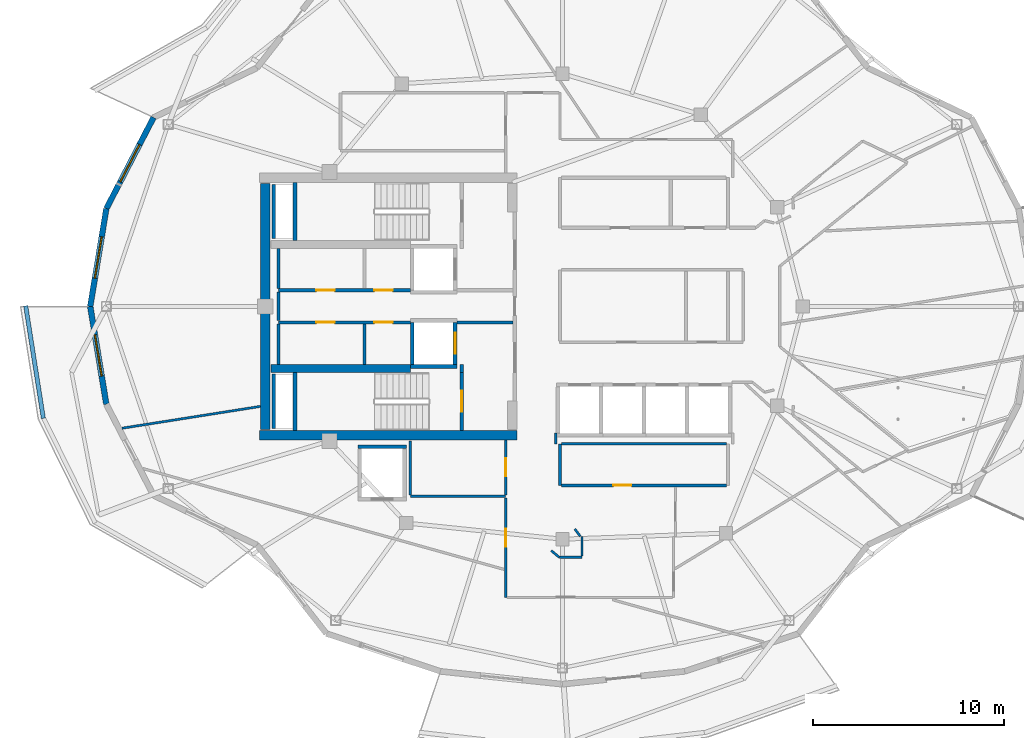
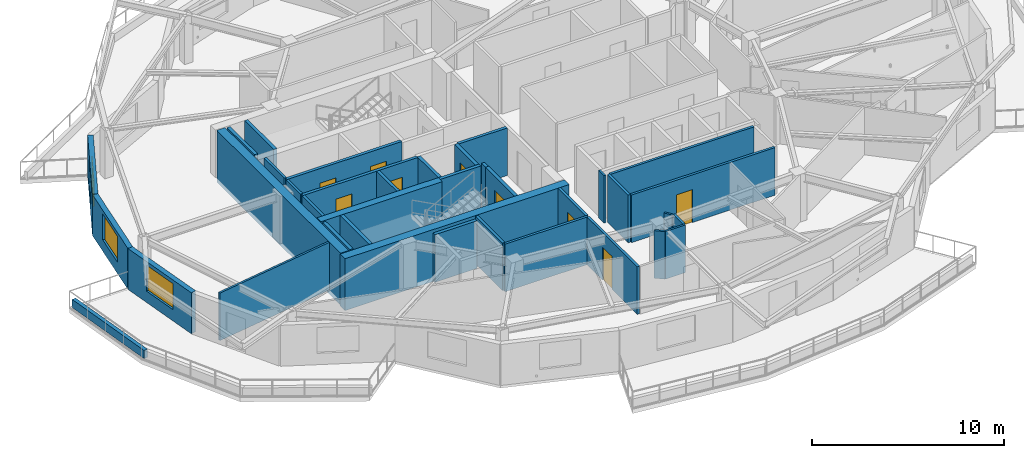
# One storey, part 3 of 14: 37 walls, 9 doors, 3 windows, 12 openings.
"""IFC4 building model written with IfcOpenShell, lengths in metres."""

from ifc_helpers import new_model, si_unit, direction, frame, frame_2d, origin, place, context, subcontext, project, spatial, rectangle, extrude, material, layer, layer_set, type_object, element, fill, save


model = new_model("IFC4")

# Units and contexts
model_context = context("Model", 3, precision=1e-05, world=origin(), true_north=direction((0.0, 1.0)))
body_context = subcontext(model_context, "Body", "Model", "MODEL_VIEW")
ifc_project = project(units=[si_unit("LENGTHUNIT", "METRE"), si_unit("AREAUNIT", "SQUARE_METRE"), si_unit("VOLUMEUNIT", "CUBIC_METRE"), si_unit("PLANEANGLEUNIT", "RADIAN"), si_unit("MASSUNIT", "GRAM", prefix="KILO")], contexts=[model_context])

# Site, building, storey
site_placement = place(None, origin())
site = spatial("IfcSite", under=ifc_project, at=site_placement, CompositionType="ELEMENT")
building_placement = place(site_placement, origin())
building = spatial("IfcBuilding", under=site, at=building_placement, Name="Kolvaren Gate Tower and Convention Centre", CompositionType="ELEMENT")
storey_placement = place(building_placement, frame((0.0, 0.0, 222.800048828125)))
storey = spatial("IfcBuildingStorey", under=building, at=storey_placement, Name="L59", CompositionType="ELEMENT", Elevation=222.800048828125)

# Wall
ifc_material_1 = material(Name="Autoclaved Aerated Masonry Blockwork Class 4 (4.0 MPa)", Category="masonry")
ifc_layer_1 = layer(ifc_material_1, 0.179931640625)
ifc_layer_set_1 = layer_set([ifc_layer_1], Name="Autoclaved Aerated Masonry Blockwork Class 4 (4.0 MPa)")
wall_type_1 = type_object("IfcWallType", Name="ARCH-WL-COMP-180", PredefinedType="SOLIDWALL", material=ifc_layer_set_1)
wall_1_placement = place(storey_placement, frame((24.85009765625, 23.5400390625, 0.0), z_axis=(0.0, 0.0, 1.0), x_axis=(0.0, 1.0, 0.0)))
element("IfcWall", 1, at=wall_1_placement, inside=storey, type_object=wall_type_1, Name="Interior Partition WL-L59-INT-001", PredefinedType="SOLIDWALL", context=body_context, shape_type="SweptSolid", body=[
    extrude(rectangle(XDim=0.419921875, YDim=0.179931640625, at=frame_2d((0.2099609375, 0.0))), origin(), (0.0, 0.0, 1.0), 3.030029296875),
])

# Wall, openings, doors
wall_2_placement = place(storey_placement, frame((15.25, 27.840087890625, 0.0), z_axis=(0.0, 0.0, 1.0), x_axis=(1.0, 0.0, 0.0)))
wall_2 = element("IfcWall", 2, at=wall_2_placement, inside=storey, type_object=wall_type_1, Name="Interior Partition WL-L59-INT-004", PredefinedType="SOLIDWALL", context=body_context, shape_type="SweptSolid", body=[
    extrude(rectangle(XDim=6.89990234375, YDim=0.179931640625, at=frame_2d((3.449951171875, 0.0))), origin(), (0.0, 0.0, 1.0), 3.030029296875),
])
opening_1_placement = place(wall_2_placement, frame((5.02001953125, 0.0, 0.0)))
opening_1 = element("IfcOpeningElement", 3, at=opening_1_placement, cuts=wall_2, Name="Opening DR-01", PredefinedType="OPENING", context=body_context, shape_type="SweptSolid", body=[
    extrude(rectangle(XDim=0.949951171875, YDim=2.10009765625, at=frame_2d((0.47509765625, 1.050048828125))), frame((0.0, 0.099853515625, 0.0), z_axis=(0.0, -1.0, 0.0), x_axis=(1.0, 0.0, 0.0)), (0.0, 0.0, 1.0), 0.199951171875),
])
opening_2_placement = place(wall_2_placement, frame((1.97998046875, 0.0, 0.0)))
opening_2 = element("IfcOpeningElement", 4, at=opening_2_placement, cuts=wall_2, Name="Opening DR-01", PredefinedType="OPENING", context=body_context, shape_type="SweptSolid", body=[
    extrude(rectangle(XDim=0.949951171875, YDim=2.10009765625, at=frame_2d((0.47509765625, 1.050048828125))), frame((0.0, 0.099853515625, 0.0), z_axis=(0.0, -1.0, 0.0), x_axis=(1.0, 0.0, 0.0)), (0.0, 0.0, 1.0), 0.199951171875),
])
ifc_material_2 = material(Name="Painted Architectural Steelwork ASTM A500 Grade C 345 MPa", Category="steel")
door_type_1 = type_object("IfcDoorType", Name="ARCH-DR-RISER-950", OperationType="SINGLE_SWING_RIGHT", PredefinedType="DOOR", material=ifc_material_2)
door_1_placement = place(opening_1_placement, origin())
door_1 = element("IfcDoor", 5, at=door_1_placement, inside=storey, type_object=door_type_1, Name="Electrical Switchgear Closet Door", OperationType="SINGLE_SWING_RIGHT", OverallHeight=2.10009765625, OverallWidth=0.949951171875, PredefinedType="DOOR", context=body_context, shape_type="SweptSolid", body=[
    extrude(rectangle(XDim=0.949951171875, YDim=2.10009765625, at=frame_2d((0.47509765625, 1.050048828125))), frame((0.0, 0.02490234375, 0.0), z_axis=(0.0, -1.0, 0.0), x_axis=(1.0, 0.0, 0.0)), (0.0, 0.0, 1.0), 0.050048828125),
])
fill(opening_1, door_1)
door_2_placement = place(opening_2_placement, origin())
door_2 = element("IfcDoor", 6, at=door_2_placement, inside=storey, type_object=door_type_1, Name="Staff Powder Washroom Door", OperationType="SINGLE_SWING_RIGHT", OverallHeight=2.10009765625, OverallWidth=0.949951171875, PredefinedType="DOOR", context=body_context, shape_type="SweptSolid", body=[
    extrude(rectangle(XDim=0.949951171875, YDim=2.10009765625, at=frame_2d((0.47509765625, 1.050048828125))), frame((0.0, 0.02490234375, 0.0), z_axis=(0.0, -1.0, 0.0), x_axis=(1.0, 0.0, 0.0)), (0.0, 0.0, 1.0), 0.050048828125),
])
fill(opening_2, door_2)

wall_3_placement = place(storey_placement, frame((15.25, 26.159912109375, 0.0), z_axis=(0.0, 0.0, 1.0), x_axis=(1.0, 0.0, 0.0)))
wall_3 = element("IfcWall", 7, at=wall_3_placement, inside=storey, type_object=wall_type_1, Name="Interior Partition WL-L59-INT-005", PredefinedType="SOLIDWALL", context=body_context, shape_type="SweptSolid", body=[
    extrude(rectangle(XDim=6.89990234375, YDim=0.179931640625, at=frame_2d((3.449951171875, 0.0))), origin(), (0.0, 0.0, 1.0), 3.030029296875),
])
opening_3_placement = place(wall_3_placement, frame((5.02001953125, 0.0, 0.0)))
opening_3 = element("IfcOpeningElement", 8, at=opening_3_placement, cuts=wall_3, Name="Opening DR-01", PredefinedType="OPENING", context=body_context, shape_type="SweptSolid", body=[
    extrude(rectangle(XDim=0.949951171875, YDim=2.10009765625, at=frame_2d((0.47509765625, 1.050048828125))), frame((0.0, 0.099853515625, 0.0), z_axis=(0.0, -1.0, 0.0), x_axis=(1.0, 0.0, 0.0)), (0.0, 0.0, 1.0), 0.199951171875),
])
opening_4_placement = place(wall_3_placement, frame((1.97998046875, 0.0, 0.0)))
opening_4 = element("IfcOpeningElement", 9, at=opening_4_placement, cuts=wall_3, Name="Opening DR-01", PredefinedType="OPENING", context=body_context, shape_type="SweptSolid", body=[
    extrude(rectangle(XDim=0.949951171875, YDim=2.10009765625, at=frame_2d((0.47509765625, 1.050048828125))), frame((0.0, 0.099853515625, 0.0), z_axis=(0.0, -1.0, 0.0), x_axis=(1.0, 0.0, 0.0)), (0.0, 0.0, 1.0), 0.199951171875),
])
door_3_placement = place(opening_3_placement, origin())
door_3 = element("IfcDoor", 10, at=door_3_placement, inside=storey, type_object=door_type_1, Name="Domestic Water Meter Closet Door", OperationType="SINGLE_SWING_LEFT", OverallHeight=2.10009765625, OverallWidth=0.949951171875, PredefinedType="DOOR", context=body_context, shape_type="SweptSolid", body=[
    extrude(rectangle(XDim=0.949951171875, YDim=2.10009765625, at=frame_2d((0.47509765625, 1.050048828125))), frame((0.0, 0.02490234375, 0.0), z_axis=(0.0, -1.0, 0.0), x_axis=(1.0, 0.0, 0.0)), (0.0, 0.0, 1.0), 0.050048828125),
])
fill(opening_3, door_3)
door_4_placement = place(opening_4_placement, origin())
door_4 = element("IfcDoor", 11, at=door_4_placement, inside=storey, type_object=door_type_1, Name="Janitor Equipment Store Door", OperationType="SINGLE_SWING_LEFT", OverallHeight=2.10009765625, OverallWidth=0.949951171875, PredefinedType="DOOR", context=body_context, shape_type="SweptSolid", body=[
    extrude(rectangle(XDim=0.949951171875, YDim=2.10009765625, at=frame_2d((0.47509765625, 1.050048828125))), frame((0.0, 0.02490234375, 0.0), z_axis=(0.0, -1.0, 0.0), x_axis=(1.0, 0.0, 0.0)), (0.0, 0.0, 1.0), 0.050048828125),
])
fill(opening_4, door_4)

# Walls
wall_4_placement = place(storey_placement, frame((24.60009765625, 26.159912109375, 0.0), z_axis=(0.0, 0.0, 1.0), x_axis=(1.0, 0.0, 0.0)))
element("IfcWall", 12, at=wall_4_placement, inside=storey, type_object=wall_type_1, Name="Interior Partition WL-L59-INT-005 (2)", PredefinedType="SOLIDWALL", context=body_context, shape_type="SweptSolid", body=[
    extrude(rectangle(XDim=2.927978515625, YDim=0.179931640625, at=frame_2d((1.4638671875, 0.0))), origin(), (0.0, 0.0, 1.0), 3.030029296875),
])
wall_5_placement = place(storey_placement, frame((19.75, 23.9619140625, 0.0), z_axis=(0.0, 0.0, 1.0), x_axis=(0.0, 1.0, 0.0)))
element("IfcWall", 13, at=wall_5_placement, inside=storey, type_object=wall_type_1, Name="Interior Partition WL-L59-INT-007", PredefinedType="SOLIDWALL", context=body_context, shape_type="SweptSolid", body=[
    extrude(rectangle(XDim=2.106201171875, YDim=0.179931640625, at=frame_2d((1.05322265625, 0.0))), origin(), (0.0, 0.0, 1.0), 3.030029296875),
])
ifc_material_3 = material(Name="Fire-Rated Acoustic Gypsum Stud Partition", Category="gypsum")
ifc_layer_2 = layer(ifc_material_3, 0.1201171875)
ifc_layer_set_2 = layer_set([ifc_layer_2], Name="Fire-Rated Acoustic Gypsum Stud Partition")
wall_type_2 = type_object("IfcWallType", Name="ARCH-WL-PART-120", PredefinedType="PARTITIONING", material=ifc_layer_set_2)
wall_6_placement = place(storey_placement, frame((29.780029296875, 19.800048828125, 0.0), z_axis=(0.0, 0.0, 1.0), x_axis=(0.0, 1.0, 0.0)))
element("IfcWall", 14, at=wall_6_placement, inside=storey, type_object=wall_type_2, Name="Interior Partition WL-L59-INT-048", PredefinedType="PARTITIONING", context=body_context, shape_type="SweptSolid", body=[
    extrude(rectangle(XDim=0.56005859375, YDim=0.1201171875, at=frame_2d((0.280029296875, 0.0))), origin(), (0.0, 0.0, 1.0), 3.030029296875),
])
wall_7_placement = place(storey_placement, frame((29.9599609375, 13.85009765625, 0.0), z_axis=(0.0, 0.0, 1.0), x_axis=(1.0, 0.0, 0.0)))
element("IfcWall", 15, at=wall_7_placement, inside=storey, type_object=wall_type_2, Name="Interior Partition WL-L59-INT-053", PredefinedType="PARTITIONING", context=body_context, shape_type="SweptSolid", body=[
    extrude(rectangle(XDim=1.18994140625, YDim=0.1201171875, at=frame_2d((0.594970703125, 0.0))), origin(), (0.0, 0.0, 1.0), 3.030029296875),
])
wall_8_placement = place(storey_placement, frame((31.14990234375, 13.912109375, 0.0), z_axis=(0.0, 0.0, 1.0), x_axis=(0.0, 1.0, 0.0)))
element("IfcWall", 16, at=wall_8_placement, inside=storey, type_object=wall_type_2, Name="Interior Partition WL-L59-INT-054", PredefinedType="PARTITIONING", context=body_context, shape_type="SweptSolid", body=[
    extrude(rectangle(XDim=1.037841796875, YDim=0.1201171875, at=frame_2d((0.51904296875, 0.0))), origin(), (0.0, 0.0, 1.0), 3.030029296875),
])
wall_9_placement = place(storey_placement, frame((30.77392578125, 15.3330078125, 0.0), z_axis=(0.0, 0.0, 1.0), x_axis=(0.595814974861, -0.803121731577, 0.0)))
element("IfcWall", 17, at=wall_9_placement, inside=storey, type_object=wall_type_2, Name="Interior Partition WL-L59-INT-055", PredefinedType="PARTITIONING", context=body_context, shape_type="SweptSolid", body=[
    extrude(rectangle(XDim=0.47705078125, YDim=0.1201171875, at=frame_2d((0.238525390625, 0.0))), origin(), (0.0, 0.0, 1.0), 3.030029296875),
])
wall_10_placement = place(storey_placement, frame((29.531005859375, 14.2060546875, 0.0), z_axis=(0.0, 0.0, 1.0), x_axis=(0.7695479554, -0.638589026166, 0.0)))
element("IfcWall", 18, at=wall_10_placement, inside=storey, type_object=wall_type_2, Name="Interior Partition WL-L59-INT-056", PredefinedType="PARTITIONING", context=body_context, shape_type="SweptSolid", body=[
    extrude(rectangle(XDim=0.557373046875, YDim=0.1201171875, at=frame_2d((0.27880859375, 0.0))), origin(), (0.0, 0.0, 1.0), 3.030029296875),
])
wall_11_placement = place(storey_placement, frame((7.041015625, 20.61669921875, 0.0), z_axis=(0.0, 0.0, 1.0), x_axis=(0.987780472541, 0.155851654036, 0.0)))
element("IfcWall", 19, at=wall_11_placement, inside=storey, type_object=wall_type_2, Name="Interior Partition WL-L59-INT-057", PredefinedType="PARTITIONING", context=body_context, shape_type="SweptSolid", body=[
    extrude(rectangle(XDim=7.346923828125, YDim=0.1201171875, at=frame_2d((3.67333984375, 0.0))), origin(), (0.0, 0.0, 1.0), 3.030029296875),
])
ifc_material_4 = material(Name="Piedmont Cream Honed Limestone Cladding", Category="masonry")
ifc_layer_3 = layer(ifc_material_4, 0.219970703125)
ifc_layer_set_3 = layer_set([ifc_layer_3], Name="Piedmont Cream Honed Limestone Cladding")
wall_type_3 = type_object("IfcWallType", Name="ARCH-WL-PLANTER-220", PredefinedType="PARAPET", material=ifc_layer_set_3)
wall_12_placement = place(storey_placement, frame((1.993408203125, 27.029296875, 0.0), z_axis=(0.0, 0.0, 1.0), x_axis=(0.1550711793, -0.987903299595, 0.0)))
element("IfcWall", 20, at=wall_12_placement, inside=storey, type_object=wall_type_3, Name="Vertical-Forest Balcony Stone Planter Kerb PK-L59-2.1", PredefinedType="PARAPET", context=body_context, shape_type="SweptSolid", body=[
    extrude(rectangle(XDim=5.963623046875, YDim=0.219970703125, at=frame_2d((2.98193359375, 0.0))), origin(), (0.0, 0.0, 1.0), 0.52001953125),
])
ifc_layer_4 = layer(ifc_material_1, 0.199951171875)
ifc_layer_set_4 = layer_set([ifc_layer_4], Name="Autoclaved Aerated Masonry Blockwork Class 4 (4.0 MPa)")
wall_type_4 = type_object("IfcWallType", Name="ARCH-WL-SHAFT-200", PredefinedType="SOLIDWALL", material=ifc_layer_set_4)
wall_13_placement = place(storey_placement, frame((22.14990234375, 23.860107421875, 0.0), z_axis=(0.0, 0.0, 1.0), x_axis=(1.0, 0.0, 0.0)))
element("IfcWall", 21, at=wall_13_placement, inside=storey, type_object=wall_type_4, Name="Elevator FF-02 L59 Fire Shaft Wall S", PredefinedType="SOLIDWALL", context=body_context, shape_type="SweptSolid", body=[
    extrude(rectangle(XDim=2.4501953125, YDim=0.199951171875, at=frame_2d((1.22509765625, 0.0))), origin(), (0.0, 0.0, 1.0), 3.030029296875),
])
wall_14_placement = place(storey_placement, frame((22.25, 23.969970703125, 0.0), z_axis=(0.0, 0.0, 1.0), x_axis=(0.0, 1.0, 0.0)))
element("IfcWall", 22, at=wall_14_placement, inside=storey, type_object=wall_type_4, Name="Elevator FF-02 L59 Fire Shaft Wall W", PredefinedType="SOLIDWALL", context=body_context, shape_type="SweptSolid", body=[
    extrude(rectangle(XDim=2.179931640625, YDim=0.199951171875, at=frame_2d((1.08984375, 0.0))), origin(), (0.0, 0.0, 1.0), 3.030029296875),
])

# Wall, opening, door
wall_15_placement = place(storey_placement, frame((24.5, 23.969970703125, 0.0), z_axis=(0.0, 0.0, 1.0), x_axis=(0.0, 1.0, 0.0)))
wall_15 = element("IfcWall", 23, at=wall_15_placement, inside=storey, type_object=wall_type_4, Name="Elevator FF-02 L59 Fire Shaft Wall E", PredefinedType="SOLIDWALL", context=body_context, shape_type="SweptSolid", body=[
    extrude(rectangle(XDim=2.179931640625, YDim=0.199951171875, at=frame_2d((1.08984375, 0.0))), origin(), (0.0, 0.0, 1.0), 3.030029296875),
])
opening_5_placement = place(wall_15_placement, frame((0.5400390625, 0.0, 0.0)))
opening_5 = element("IfcOpeningElement", 24, at=opening_5_placement, cuts=wall_15, Name="Opening LD", PredefinedType="OPENING", context=body_context, shape_type="SweptSolid", body=[
    extrude(rectangle(XDim=1.10009765625, YDim=2.199951171875, at=frame_2d((0.550048828125, 1.10009765625))), frame((0.0, 0.10986328125, 0.0), z_axis=(0.0, -1.0, 0.0), x_axis=(1.0, 0.0, 0.0)), (0.0, 0.0, 1.0), 0.219970703125),
])
ifc_material_5 = material(Name="Brushed Stainless Steel Grade 316L", Category="steel")
door_type_2 = type_object("IfcDoorType", Name="ARCH-DR-LIFT-1100", OperationType="SLIDING_TO_LEFT", PredefinedType="DOOR", material=ifc_material_5)
door_5_placement = place(opening_5_placement, origin())
door_5 = element("IfcDoor", 25, at=door_5_placement, inside=storey, type_object=door_type_2, Name="Elevator FF-02 L59 Sliding Landing Door", OperationType="SLIDING_TO_LEFT", OverallHeight=2.199951171875, OverallWidth=1.10009765625, PredefinedType="DOOR", context=body_context, shape_type="SweptSolid", body=[
    extrude(rectangle(XDim=1.10009765625, YDim=2.199951171875, at=frame_2d((0.550048828125, 1.10009765625))), frame((0.0, 0.02490234375, 0.0), z_axis=(0.0, -1.0, 0.0), x_axis=(1.0, 0.0, 0.0)), (0.0, 0.0, 1.0), 0.050048828125),
])
fill(opening_5, door_5)

# Walls
wall_16_placement = place(storey_placement, frame((19.39990234375, 19.64990234375, 0.0), z_axis=(0.0, 0.0, 1.0), x_axis=(1.0, 0.0, 0.0)))
element("IfcWall", 26, at=wall_16_placement, inside=storey, type_object=wall_type_4, Name="Elevator SV-01 L59 Fire Shaft Wall N", PredefinedType="SOLIDWALL", context=body_context, shape_type="SweptSolid", body=[
    extrude(rectangle(XDim=2.550048828125, YDim=0.199951171875, at=frame_2d((1.27490234375, 0.0))), origin(), (0.0, 0.0, 1.0), 3.030029296875),
])
for number, where, z_axis, x_axis, name in (
    (27, (14.989990234375, 30.550048828125, 0.0), (0.0, 0.0, 1.0), (0.0, 1.0, 0.0), "Vertical Shaft HVR L59 EI-120 Enclosure Wall W"),
    (28, (14.989990234375, 20.60009765625, 0.0), (0.0, 0.0, 1.0), (0.0, 1.0, 0.0), "Vertical Shaft MPR L59 EI-120 Enclosure Wall W"),
):
    element("IfcWall", number, at=place(storey_placement, frame(where, z_axis=z_axis, x_axis=x_axis)), inside=storey, type_object=wall_type_4, Name=name, PredefinedType="SOLIDWALL", context=body_context, shape_type="SweptSolid", body=[
        extrude(rectangle(XDim=2.849853515625, YDim=0.199951171875, at=frame_2d((1.4248046875, 0.0))), origin(), (0.0, 0.0, 1.0), 3.030029296875),
    ])

# Wall, opening, window
ifc_layer_5 = layer(ifc_material_4, 0.300048828125)
ifc_layer_set_5 = layer_set([ifc_layer_5], Name="Piedmont Cream Honed Limestone Cladding")
wall_type_5 = type_object("IfcWallType", Name="ARCH-WL-STONE-300", PredefinedType="SOLIDWALL", material=ifc_layer_set_5)
wall_17_placement = place(storey_placement, frame((6.21826171875, 32.12451171875, 0.0), z_axis=(0.0, 0.0, 1.0), x_axis=(0.459808219482, 0.888018243786, 0.0)))
wall_17 = element("IfcWall", 29, at=wall_17_placement, inside=storey, type_object=wall_type_5, Name="Tower L59 Honed Stone Spandrel Wall EW-10", PredefinedType="SOLIDWALL", context=body_context, shape_type="SweptSolid", body=[
    extrude(rectangle(XDim=5.377685546875, YDim=0.300048828125, at=frame_2d((2.68896484375, 0.0))), origin(), (0.0, 0.0, 1.0), 2.60498046875),
])
opening_6_placement = place(wall_17_placement, frame((1.589111328125, 0.0, 0.719970703125)))
opening_6 = element("IfcOpeningElement", 30, at=opening_6_placement, cuts=wall_17, Name="Opening W-03", PredefinedType="OPENING", context=body_context, shape_type="SweptSolid", body=[
    extrude(rectangle(XDim=2.199951171875, YDim=1.64990234375, at=frame_2d((1.10009765625, 0.824951171875))), frame((0.0, 0.159912109375, 0.0), z_axis=(0.0, -1.0, 0.0), x_axis=(1.0, 0.0, 0.0)), (0.0, 0.0, 1.0), 0.320068359375),
])
ifc_material_6 = material(Name="Low-E Triple Insulated Glazing Unit 44 mm", Category="glass")
window_type = type_object("IfcWindowType", Name="ARCH-WN-RES-2200", PartitioningType="SINGLE_PANEL", PredefinedType="WINDOW", material=ifc_material_6)
window_1_placement = place(opening_6_placement, origin())
window_1 = element("IfcWindow", 31, at=window_1_placement, inside=storey, type_object=window_type, Name="Tower L59 Punched Stone Facade Window W-10", OverallHeight=1.64990234375, OverallWidth=2.199951171875, PartitioningType="SINGLE_PANEL", PredefinedType="WINDOW", context=body_context, shape_type="SweptSolid", body=[
    extrude(rectangle(XDim=2.199951171875, YDim=1.64990234375, at=frame_2d((1.10009765625, 0.824951171875))), frame((0.0, 0.030029296875, 0.0), z_axis=(0.0, -1.0, 0.0), x_axis=(1.0, 0.0, 0.0)), (0.0, 0.0, 1.0), 0.06005859375),
])
fill(opening_6, window_1)

wall_18_placement = place(storey_placement, frame((5.375, 27.0, 0.0), z_axis=(0.0, 0.0, 1.0), x_axis=(0.16237087798, 0.986729799886, 0.0)))
wall_18 = element("IfcWall", 32, at=wall_18_placement, inside=storey, type_object=wall_type_5, Name="Tower L59 Honed Stone Spandrel Wall EW-11", PredefinedType="SOLIDWALL", context=body_context, shape_type="SweptSolid", body=[
    extrude(rectangle(XDim=5.193359375, YDim=0.300048828125, at=frame_2d((2.5966796875, 0.0))), origin(), (0.0, 0.0, 1.0), 2.60498046875),
])
opening_7_placement = place(wall_18_placement, frame((1.4970703125, 0.0, 0.719970703125)))
opening_7 = element("IfcOpeningElement", 33, at=opening_7_placement, cuts=wall_18, Name="Opening W-03", PredefinedType="OPENING", context=body_context, shape_type="SweptSolid", body=[
    extrude(rectangle(XDim=2.199951171875, YDim=1.64990234375, at=frame_2d((1.10009765625, 0.824951171875))), frame((0.0, 0.159912109375, 0.0), z_axis=(0.0, -1.0, 0.0), x_axis=(1.0, 0.0, 0.0)), (0.0, 0.0, 1.0), 0.320068359375),
])
window_2_placement = place(opening_7_placement, origin())
window_2 = element("IfcWindow", 34, at=window_2_placement, inside=storey, type_object=window_type, Name="Tower L59 Punched Stone Facade Window W-11", OverallHeight=1.64990234375, OverallWidth=2.199951171875, PartitioningType="SINGLE_PANEL", PredefinedType="WINDOW", context=body_context, shape_type="SweptSolid", body=[
    extrude(rectangle(XDim=2.199951171875, YDim=1.64990234375, at=frame_2d((1.10009765625, 0.824951171875))), frame((0.0, 0.030029296875, 0.0), z_axis=(0.0, -1.0, 0.0), x_axis=(1.0, 0.0, 0.0)), (0.0, 0.0, 1.0), 0.06005859375),
])
fill(opening_7, window_2)

wall_19_placement = place(storey_placement, frame((5.375, 27.0, 0.0), z_axis=(0.0, 0.0, 1.0), x_axis=(0.16237087798, -0.986729799886, 0.0)))
wall_19 = element("IfcWall", 35, at=wall_19_placement, inside=storey, type_object=wall_type_5, Name="Tower L59 Honed Stone Spandrel Wall EW-12", PredefinedType="SOLIDWALL", context=body_context, shape_type="SweptSolid", body=[
    extrude(rectangle(XDim=5.193359375, YDim=0.300048828125, at=frame_2d((2.5966796875, 0.0))), origin(), (0.0, 0.0, 1.0), 2.60498046875),
])
opening_8_placement = place(wall_19_placement, frame((1.4970703125, 0.0, 0.719970703125)))
opening_8 = element("IfcOpeningElement", 36, at=opening_8_placement, cuts=wall_19, Name="Opening W-03", PredefinedType="OPENING", context=body_context, shape_type="SweptSolid", body=[
    extrude(rectangle(XDim=2.199951171875, YDim=1.64990234375, at=frame_2d((1.10009765625, 0.824951171875))), frame((0.0, 0.159912109375, 0.0), z_axis=(0.0, -1.0, 0.0), x_axis=(1.0, 0.0, 0.0)), (0.0, 0.0, 1.0), 0.320068359375),
])
window_3_placement = place(opening_8_placement, origin())
window_3 = element("IfcWindow", 37, at=window_3_placement, inside=storey, type_object=window_type, Name="Tower L59 Punched Stone Facade Window W-12", OverallHeight=1.64990234375, OverallWidth=2.199951171875, PartitioningType="SINGLE_PANEL", PredefinedType="WINDOW", context=body_context, shape_type="SweptSolid", body=[
    extrude(rectangle(XDim=2.199951171875, YDim=1.64990234375, at=frame_2d((1.10009765625, 0.824951171875))), frame((0.0, 0.030029296875, 0.0), z_axis=(0.0, -1.0, 0.0), x_axis=(1.0, 0.0, 0.0)), (0.0, 0.0, 1.0), 0.06005859375),
])
fill(opening_8, window_3)

# Walls
ifc_material_7 = material(Name="Moisture-Resistant Cement-Board Acoustic Partition", Category="gypsum")
ifc_layer_6 = layer(ifc_material_7, 0.14990234375)
ifc_layer_set_6 = layer_set([ifc_layer_6], Name="Moisture-Resistant Cement-Board Acoustic Partition")
wall_type_6 = type_object("IfcWallType", Name="ARCH-WL-WET-150", PredefinedType="PARTITIONING", material=ifc_layer_set_6)
wall_20_placement = place(storey_placement, frame((15.25, 23.9619140625, 0.0), z_axis=(0.0, 0.0, 1.0), x_axis=(0.0, 1.0, 0.0)))
element("IfcWall", 38, at=wall_20_placement, inside=storey, type_object=wall_type_6, Name="Interior Partition WL-L59-INT-006", PredefinedType="PARTITIONING", context=body_context, shape_type="SweptSolid", body=[
    extrude(rectangle(XDim=2.106201171875, YDim=0.14990234375, at=frame_2d((1.05322265625, 0.0))), origin(), (0.0, 0.0, 1.0), 3.030029296875),
])
wall_21_placement = place(storey_placement, frame((15.25, 26.251953125, 0.0), z_axis=(0.0, 0.0, 1.0), x_axis=(0.0, 1.0, 0.0)))
element("IfcWall", 39, at=wall_21_placement, inside=storey, type_object=wall_type_6, Name="Interior Partition WL-L59-INT-006 (2)", PredefinedType="PARTITIONING", context=body_context, shape_type="SweptSolid", body=[
    extrude(rectangle(XDim=1.49609375, YDim=0.14990234375, at=frame_2d((0.748046875, 0.0))), origin(), (0.0, 0.0, 1.0), 3.030029296875),
])
wall_22_placement = place(storey_placement, frame((15.25, 27.931884765625, 0.0), z_axis=(0.0, 0.0, 1.0), x_axis=(0.0, 1.0, 0.0)))
element("IfcWall", 40, at=wall_22_placement, inside=storey, type_object=wall_type_6, Name="Interior Partition WL-L59-INT-006 (3)", PredefinedType="PARTITIONING", context=body_context, shape_type="SweptSolid", body=[
    extrude(rectangle(XDim=2.106201171875, YDim=0.14990234375, at=frame_2d((1.05322265625, 0.0))), origin(), (0.0, 0.0, 1.0), 3.030029296875),
])
wall_23_placement = place(storey_placement, frame((22.14990234375, 17.050048828125, 0.0), z_axis=(0.0, 0.0, 1.0), x_axis=(1.0, 0.0, 0.0)))
element("IfcWall", 41, at=wall_23_placement, inside=storey, type_object=wall_type_6, Name="Interior Partition WL-L59-INT-009", PredefinedType="PARTITIONING", context=body_context, shape_type="SweptSolid", body=[
    extrude(rectangle(XDim=5.0, YDim=0.14990234375, at=frame_2d((2.5, 0.0))), origin(), (0.0, 0.0, 1.0), 3.030029296875),
])
wall_24_placement = place(storey_placement, frame((22.14990234375, 17.126953125, 0.0), z_axis=(0.0, 0.0, 1.0), x_axis=(0.0, 1.0, 0.0)))
element("IfcWall", 42, at=wall_24_placement, inside=storey, type_object=wall_type_6, Name="Interior Partition WL-L59-INT-010", PredefinedType="PARTITIONING", context=body_context, shape_type="SweptSolid", body=[
    extrude(rectangle(XDim=2.822998046875, YDim=0.14990234375, at=frame_2d((1.41162109375, 0.0))), origin(), (0.0, 0.0, 1.0), 3.030029296875),
])

# Wall, opening, door
wall_25_placement = place(storey_placement, frame((27.14990234375, 11.75, 0.0), z_axis=(0.0, 0.0, 1.0), x_axis=(0.0, 1.0, 0.0)))
wall_25 = element("IfcWall", 43, at=wall_25_placement, inside=storey, type_object=wall_type_6, Name="Interior Partition WL-L59-INT-011", PredefinedType="PARTITIONING", context=body_context, shape_type="SweptSolid", body=[
    extrude(rectangle(XDim=5.222900390625, YDim=0.14990234375, at=frame_2d((2.611328125, 0.0))), origin(), (0.0, 0.0, 1.0), 3.030029296875),
])
opening_9_placement = place(wall_25_placement, frame((2.6484375, 0.0, 0.0)))
opening_9 = element("IfcOpeningElement", 44, at=opening_9_placement, cuts=wall_25, Name="Opening DR-01", PredefinedType="OPENING", context=body_context, shape_type="SweptSolid", body=[
    extrude(rectangle(XDim=0.949951171875, YDim=2.10009765625, at=frame_2d((0.47509765625, 1.050048828125))), frame((0.0, 0.0849609375, 0.0), z_axis=(0.0, -1.0, 0.0), x_axis=(1.0, 0.0, 0.0)), (0.0, 0.0, 1.0), 0.169921875),
])
door_6_placement = place(opening_9_placement, origin())
door_6 = element("IfcDoor", 45, at=door_6_placement, inside=storey, type_object=door_type_1, Name="Resident Private Study Door", OperationType="SINGLE_SWING_LEFT", OverallHeight=2.10009765625, OverallWidth=0.949951171875, PredefinedType="DOOR", context=body_context, shape_type="SweptSolid", body=[
    extrude(rectangle(XDim=0.949951171875, YDim=2.10009765625, at=frame_2d((0.47509765625, 1.050048828125))), frame((0.0, 0.02490234375, 0.0), z_axis=(0.0, -1.0, 0.0), x_axis=(1.0, 0.0, 0.0)), (0.0, 0.0, 1.0), 0.050048828125),
])
fill(opening_9, door_6)

wall_26_placement = place(storey_placement, frame((27.14990234375, 17.126953125, 0.0), z_axis=(0.0, 0.0, 1.0), x_axis=(0.0, 1.0, 0.0)))
wall_26 = element("IfcWall", 46, at=wall_26_placement, inside=storey, type_object=wall_type_6, Name="Interior Partition WL-L59-INT-011 (2)", PredefinedType="PARTITIONING", context=body_context, shape_type="SweptSolid", body=[
    extrude(rectangle(XDim=2.87109375, YDim=0.14990234375, at=frame_2d((1.435546875, 0.0))), origin(), (0.0, 0.0, 1.0), 3.030029296875),
])
opening_10_placement = place(wall_26_placement, frame((0.96044921875, 0.0, 0.0)))
opening_10 = element("IfcOpeningElement", 47, at=opening_10_placement, cuts=wall_26, Name="Opening DR-01", PredefinedType="OPENING", context=body_context, shape_type="SweptSolid", body=[
    extrude(rectangle(XDim=0.949951171875, YDim=2.10009765625, at=frame_2d((0.47509765625, 1.050048828125))), frame((0.0, 0.0849609375, 0.0), z_axis=(0.0, -1.0, 0.0), x_axis=(1.0, 0.0, 0.0)), (0.0, 0.0, 1.0), 0.169921875),
])
door_7_placement = place(opening_10_placement, origin())
door_7 = element("IfcDoor", 48, at=door_7_placement, inside=storey, type_object=door_type_1, Name="West Linen and Supply Store Door", OperationType="SINGLE_SWING_RIGHT", OverallHeight=2.10009765625, OverallWidth=0.949951171875, PredefinedType="DOOR", context=body_context, shape_type="SweptSolid", body=[
    extrude(rectangle(XDim=0.949951171875, YDim=2.10009765625, at=frame_2d((0.47509765625, 1.050048828125))), frame((0.0, 0.02490234375, 0.0), z_axis=(0.0, -1.0, 0.0), x_axis=(1.0, 0.0, 0.0)), (0.0, 0.0, 1.0), 0.050048828125),
])
fill(opening_10, door_7)

# Wall
wall_27_placement = place(storey_placement, frame((30.0, 17.6201171875, 0.0), z_axis=(0.0, 0.0, 1.0), x_axis=(0.0, 1.0, 0.0)))
element("IfcWall", 49, at=wall_27_placement, inside=storey, type_object=wall_type_6, Name="Interior Partition WL-L59-INT-014", PredefinedType="PARTITIONING", context=body_context, shape_type="SweptSolid", body=[
    extrude(rectangle(XDim=2.179931640625, YDim=0.14990234375, at=frame_2d((1.08984375, 0.0))), origin(), (0.0, 0.0, 1.0), 3.030029296875),
])

# Wall, opening, door
wall_28_placement = place(storey_placement, frame((30.076904296875, 17.6201171875, 0.0), z_axis=(0.0, 0.0, 1.0), x_axis=(1.0, 0.0, 0.0)))
wall_28 = element("IfcWall", 50, at=wall_28_placement, inside=storey, type_object=wall_type_6, Name="Interior Partition WL-L59-INT-026", PredefinedType="PARTITIONING", context=body_context, shape_type="SweptSolid", body=[
    extrude(rectangle(XDim=8.64599609375, YDim=0.14990234375, at=frame_2d((4.322998046875, 0.0))), origin(), (0.0, 0.0, 1.0), 3.030029296875),
])
opening_11_placement = place(wall_28_placement, frame((2.716552734375, 0.0, 0.0)))
opening_11 = element("IfcOpeningElement", 51, at=opening_11_placement, cuts=wall_28, Name="Opening DR-01", PredefinedType="OPENING", context=body_context, shape_type="SweptSolid", body=[
    extrude(rectangle(XDim=0.949951171875, YDim=2.10009765625, at=frame_2d((0.47509765625, 1.050048828125))), frame((0.0, 0.0849609375, 0.0), z_axis=(0.0, -1.0, 0.0), x_axis=(1.0, 0.0, 0.0)), (0.0, 0.0, 1.0), 0.169921875),
])
door_8_placement = place(opening_11_placement, origin())
door_8 = element("IfcDoor", 52, at=door_8_placement, inside=storey, type_object=door_type_1, Name="Resident Luggage Store Door", OperationType="SINGLE_SWING_LEFT", OverallHeight=2.10009765625, OverallWidth=0.949951171875, PredefinedType="DOOR", context=body_context, shape_type="SweptSolid", body=[
    extrude(rectangle(XDim=0.949951171875, YDim=2.10009765625, at=frame_2d((0.47509765625, 1.050048828125))), frame((0.0, 0.02490234375, 0.0), z_axis=(0.0, -1.0, 0.0), x_axis=(1.0, 0.0, 0.0)), (0.0, 0.0, 1.0), 0.050048828125),
])
fill(opening_11, door_8)

# Walls
wall_29_placement = place(storey_placement, frame((30.076904296875, 19.800048828125, 0.0), z_axis=(0.0, 0.0, 1.0), x_axis=(1.0, 0.0, 0.0)))
element("IfcWall", 53, at=wall_29_placement, inside=storey, type_object=wall_type_6, Name="Interior Partition WL-L59-INT-027", PredefinedType="PARTITIONING", context=body_context, shape_type="SweptSolid", body=[
    extrude(rectangle(XDim=8.64599609375, YDim=0.14990234375, at=frame_2d((4.322998046875, 0.0))), origin(), (0.0, 0.0, 1.0), 3.030029296875),
])
ifc_material_8 = material(Name="Concrete C50/60", Category="concrete")
ifc_layer_7 = layer(ifc_material_8, 0.419921875)
ifc_layer_set_7 = layer_set([ifc_layer_7], Name="Concrete C50/60")
wall_type_7 = type_object("IfcWallType", Name="STR-WL-CONV-420", PredefinedType="SHEAR", material=ifc_layer_set_7)
wall_30_placement = place(storey_placement, frame((14.85009765625, 23.75, -0.27001953125), z_axis=(0.0, 0.0, 1.0), x_axis=(1.0, 0.0, 0.0)))
element("IfcWall", 54, at=wall_30_placement, inside=storey, type_object=wall_type_7, Name="Tower L59 Offset Core Shear Wall WS", PredefinedType="SHEAR", context=body_context, shape_type="SweptSolid", body=[
    extrude(rectangle(XDim=7.2998046875, YDim=0.419921875, at=frame_2d((3.64990234375, 0.0))), origin(), (0.0, 0.0, 1.0), 3.300048828125),
])
ifc_layer_8 = layer(ifc_material_8, 0.5)
ifc_layer_set_8 = layer_set([ifc_layer_8], Name="Concrete C50/60")
wall_type_8 = type_object("IfcWallType", Name="STR-WL-CORE-500", PredefinedType="SHEAR", material=ifc_layer_set_8)
wall_31_placement = place(storey_placement, frame((14.25, 20.25, -0.27001953125), z_axis=(0.0, 0.0, 1.0), x_axis=(1.0, 0.0, 0.0)))
element("IfcWall", 55, at=wall_31_placement, inside=storey, type_object=wall_type_8, Name="Tower L59 Offset Core Shear Wall S", PredefinedType="SHEAR", context=body_context, shape_type="SweptSolid", body=[
    extrude(rectangle(XDim=13.5, YDim=0.5, at=frame_2d((6.75, 0.0))), origin(), (0.0, 0.0, 1.0), 3.300048828125),
])
wall_32_placement = place(storey_placement, frame((14.550048828125, 20.550048828125, -0.27001953125), z_axis=(0.0, 0.0, 1.0), x_axis=(0.0, 1.0, 0.0)))
element("IfcWall", 56, at=wall_32_placement, inside=storey, type_object=wall_type_8, Name="Tower L59 Offset Core Shear Wall W", PredefinedType="SHEAR", context=body_context, shape_type="SweptSolid", body=[
    extrude(rectangle(XDim=12.89990234375, YDim=0.5, at=frame_2d((6.449951171875, 0.0))), origin(), (0.0, 0.0, 1.0), 3.300048828125),
])
ifc_layer_9 = layer(ifc_material_8, 0.199951171875)
ifc_layer_set_9 = layer_set([ifc_layer_9], Name="Concrete C50/60")
wall_type_9 = type_object("IfcWallType", Name="STR-WL-SHAFT-200", PredefinedType="SHEAR", material=ifc_layer_set_9)
wall_33_placement = place(storey_placement, frame((16.10009765625, 30.4619140625, -0.27001953125), z_axis=(0.0, 0.0, 1.0), x_axis=(0.0, 1.0, 0.0)))
element("IfcWall", 57, at=wall_33_placement, inside=storey, type_object=wall_type_9, Name="Tower North Exit Stair ST-T1 L59 Structural Shear Enclosure Wall FAR", PredefinedType="SHEAR", context=body_context, shape_type="SweptSolid", body=[
    extrude(rectangle(XDim=3.0361328125, YDim=0.199951171875, at=frame_2d((1.51806640625, 0.0))), origin(), (0.0, 0.0, 1.0), 3.300048828125),
])

# Wall, opening, door
wall_34_placement = place(storey_placement, frame((24.85009765625, 20.501953125, -0.27001953125), z_axis=(0.0, 0.0, 1.0), x_axis=(0.0, 1.0, 0.0)))
wall_34 = element("IfcWall", 58, at=wall_34_placement, inside=storey, type_object=wall_type_9, Name="Tower South Exit Stair ST-T2 L59 Structural Shear Enclosure Wall NEAR", PredefinedType="SHEAR", context=body_context, shape_type="SweptSolid", body=[
    extrude(rectangle(XDim=3.0380859375, YDim=0.199951171875, at=frame_2d((1.51904296875, 0.0))), origin(), (0.0, 0.0, 1.0), 3.300048828125),
])
opening_12_placement = place(wall_34_placement, frame((0.968994140625, 0.0, 0.27001953125)))
opening_12 = element("IfcOpeningElement", 59, at=opening_12_placement, cuts=wall_34, Name="Opening DS-01", PredefinedType="OPENING", context=body_context, shape_type="SweptSolid", body=[
    extrude(rectangle(XDim=1.10009765625, YDim=2.14990234375, at=frame_2d((0.550048828125, 1.074951171875))), frame((0.0, 0.10986328125, 0.0), z_axis=(0.0, -1.0, 0.0), x_axis=(1.0, 0.0, 0.0)), (0.0, 0.0, 1.0), 0.219970703125),
])
door_type_3 = type_object("IfcDoorType", Name="ARCH-DR-STAIR-1100", OperationType="SINGLE_SWING_LEFT", PredefinedType="DOOR", material=ifc_material_2)
door_9_placement = place(opening_12_placement, origin())
door_9 = element("IfcDoor", 60, at=door_9_placement, inside=storey, type_object=door_type_3, Name="Tower South Exit Stair ST-T2 L59 Fire Exit Stair Door", OperationType="SINGLE_SWING_LEFT", OverallHeight=2.14990234375, OverallWidth=1.10009765625, PredefinedType="DOOR", context=body_context, shape_type="SweptSolid", body=[
    extrude(rectangle(XDim=1.10009765625, YDim=2.14990234375, at=frame_2d((0.550048828125, 1.074951171875))), frame((0.0, 0.02490234375, 0.0), z_axis=(0.0, -1.0, 0.0), x_axis=(1.0, 0.0, 0.0)), (0.0, 0.0, 1.0), 0.050048828125),
])
fill(opening_12, door_9)

# Wall
wall_35_placement = place(storey_placement, frame((16.10009765625, 20.501953125, -0.27001953125), z_axis=(0.0, 0.0, 1.0), x_axis=(0.0, 1.0, 0.0)))
element("IfcWall", 61, at=wall_35_placement, inside=storey, type_object=wall_type_9, Name="Tower South Exit Stair ST-T2 L59 Structural Shear Enclosure Wall FAR", PredefinedType="SHEAR", context=body_context, shape_type="SweptSolid", body=[
    extrude(rectangle(XDim=3.0361328125, YDim=0.199951171875, at=frame_2d((1.51806640625, 0.0))), origin(), (0.0, 0.0, 1.0), 3.300048828125),
])

save(model, "model.ifc")
